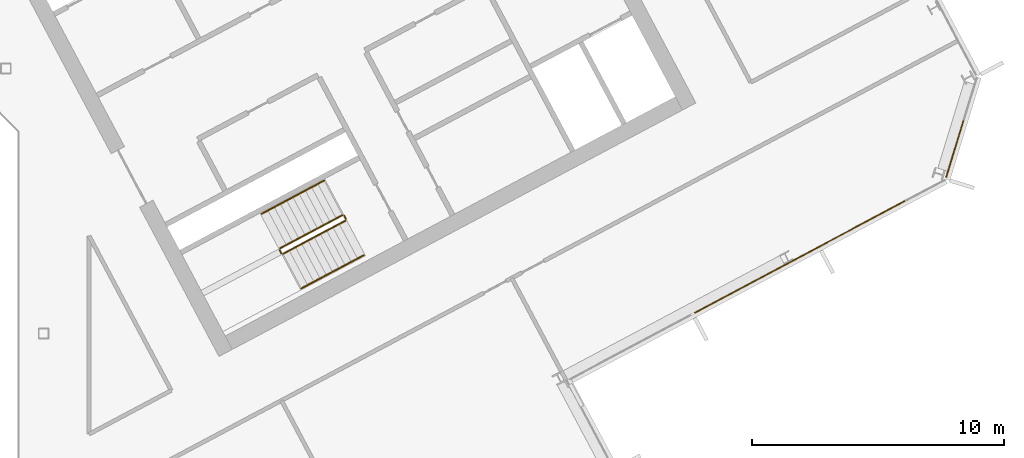
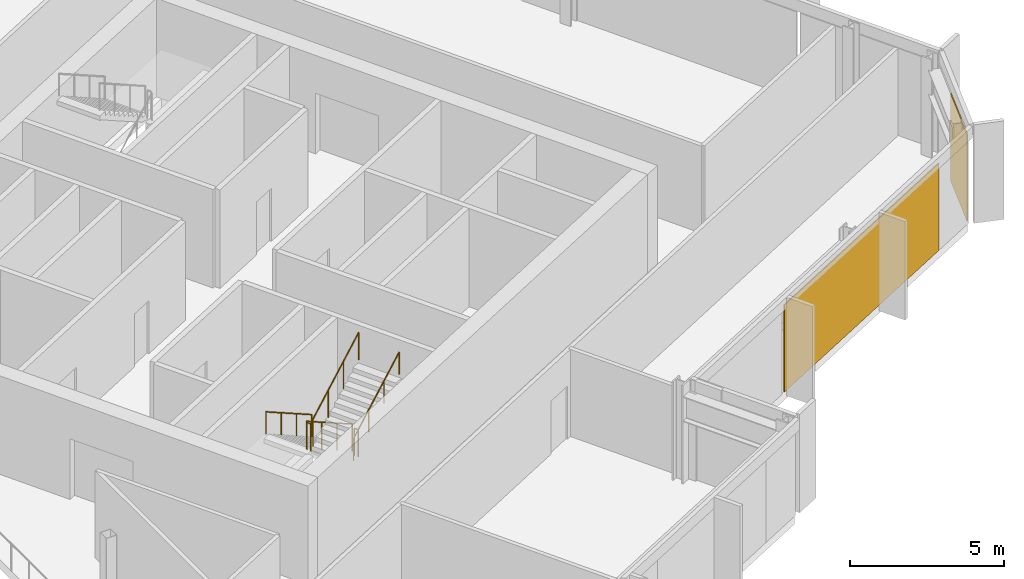
# One storey, part 24 of 26: 6 railings, 2 coverings, 2 elements without a shape of their own.
"""IFC4 building model written with IfcOpenShell, lengths in metres."""

from ifc_helpers import new_model, si_unit, direction, frame, origin, origin_2d, place, context, subcontext, project, spatial, polyline, rectangle, outline, extrude, material, layer, layer_set, type_object, element, aggregate, save


model = new_model("IFC4")

# Units and contexts
model_context = context("Model", 3, precision=1e-05, world=origin(), true_north=direction((0.0, 1.0)))
body_context = subcontext(model_context, "Body", "Model", "MODEL_VIEW")
ifc_project = project(units=[si_unit("LENGTHUNIT", "METRE"), si_unit("AREAUNIT", "SQUARE_METRE"), si_unit("VOLUMEUNIT", "CUBIC_METRE"), si_unit("PLANEANGLEUNIT", "RADIAN"), si_unit("MASSUNIT", "GRAM", prefix="KILO")], contexts=[model_context])

# Site, building, storey
site_placement = place(None, origin())
site = spatial("IfcSite", under=ifc_project, at=site_placement, CompositionType="ELEMENT")
building_placement = place(site_placement, origin())
building = spatial("IfcBuilding", under=site, at=building_placement, Name="Cormorant Relay Tower", CompositionType="ELEMENT")
storey_placement = place(building_placement, frame((0.0, 0.0, 248.10009765625)))
storey = spatial("IfcBuildingStorey", under=building, at=storey_placement, Name="L55", CompositionType="ELEMENT", Elevation=248.10009765625)

# Curtain wall, covering
ifc_material_1 = material(Name="Aluminium 6063-T6 anodised bronze", Category="aluminium")
ifc_layer_1 = layer(ifc_material_1, 0.199951171875)
ifc_layer_set_1 = layer_set([ifc_layer_1], Name="CW1 unitised bronze curtain wall with vertical fins")
curtain_wall_type = type_object("IfcCurtainWallType", Name="CW1 unitised bronze curtain wall with vertical fins", PredefinedType="NOTDEFINED", material=ifc_layer_set_1)
curtain_wall_1_placement = place(storey_placement, origin())
curtain_wall_1 = element("IfcCurtainWall", 1, at=curtain_wall_1_placement, inside=storey, type_object=curtain_wall_type, Name="CW1 curtain wall 4", PredefinedType="NOTDEFINED")
ifc_material_2 = material(Name="Pale bronze anodised aluminium insulated panel", Category="aluminium")
ifc_layer_2 = layer(ifc_material_2, 0.0400390625)
ifc_layer_set_2 = layer_set([ifc_layer_2], Name="CW1 pale bronze insulated panel 40")
covering_type = type_object("IfcCoveringType", Name="CW1 pale bronze insulated panel 40", PredefinedType="CLADDING", material=ifc_layer_set_2)
covering_1_placement = place(storey_placement, frame((41.9580078125, 3.033203125, 0.0), z_axis=(0.0, 0.0, 1.0), x_axis=(0.882947592859, 0.469471562786, 0.0)))
covering_1 = element("IfcCovering", 2, at=covering_1_placement, type_object=covering_type, Name="CW1 panel S01", PredefinedType="CLADDING", context=body_context, shape_type="SweptSolid", body=[
    extrude(rectangle(XDim=9.458251953125, YDim=0.0400390625, at=origin_2d()), origin(), (0.0, 0.0, 1.0), 3.449951171875),
])
aggregate(curtain_wall_1, [covering_1])

curtain_wall_2_placement = place(storey_placement, origin())
curtain_wall_2 = element("IfcCurtainWall", 3, at=curtain_wall_2_placement, inside=storey, type_object=curtain_wall_type, Name="CW1 curtain wall 5", PredefinedType="NOTDEFINED")
covering_2_placement = place(storey_placement, frame((48.100830078125, 7.314208984375, 0.0), z_axis=(0.0, 0.0, 1.0), x_axis=(0.292371704723, 0.956304755963, 0.0)))
covering_2 = element("IfcCovering", 4, at=covering_2_placement, type_object=covering_type, Name="CW1 panel S00", PredefinedType="CLADDING", context=body_context, shape_type="SweptSolid", body=[
    extrude(rectangle(XDim=2.36767578125, YDim=0.0400390625, at=origin_2d()), origin(), (0.0, 0.0, 1.0), 3.449951171875),
])
aggregate(curtain_wall_2, [covering_2])

# Railings
ifc_material_3 = material(Name="Steel ASTM A572 Grade 50 (Fy 345 MPa)", Category="steel")
railing_type_1 = type_object("IfcRailingType", Name="Stair guard 1100", PredefinedType="GUARDRAIL", material=ifc_material_3)
railing_1_placement = place(storey_placement, frame((23.83837890625, 4.6904296875, 0.17724609375)))
element("IfcRailing", 5, at=railing_1_placement, inside=storey, type_object=railing_type_1, Name="L55 B1 stair guard 1", PredefinedType="GUARDRAIL", context=body_context, shape_type="SweptSolid", body=[
    extrude(outline(polyline([(0.022216796875, 0.00927734375), (0.00927734375, 0.022216796875), (-0.00927734375, 0.022216796875), (-0.022216796875, 0.00927734375), (-0.022216796875, -0.00927734375), (-0.00927734375, -0.022216796875), (0.00927734375, -0.022216796875), (0.022216796875, -0.00927734375), (0.022216796875, 0.00927734375)])), frame((0.0, 0.0, 1.076171875), z_axis=(-0.746033882577, -0.396627473466, 0.534901947407), x_axis=(0.469429322983, -0.882970050864, 0.0)), (0.0, 0.0, 1.0), 3.31396484375),
    extrude(outline(polyline([(0.019287109375, 0.008056640625), (0.008056640625, 0.019287109375), (-0.008056640625, 0.019287109375), (-0.019287109375, 0.008056640625), (-0.019287109375, -0.008056640625), (-0.008056640625, -0.019287109375), (0.008056640625, -0.019287109375), (0.019287109375, -0.008056640625), (0.019287109375, 0.008056640625)])), origin(), (0.0, 0.0, 1.0), 1.052001953125),
    extrude(outline(polyline([(0.019287109375, 0.008056640625), (0.008056640625, 0.019287109375), (-0.008056640625, 0.019287109375), (-0.019287109375, 0.008056640625), (-0.019287109375, -0.008056640625), (-0.008056640625, -0.019287109375), (0.008056640625, -0.019287109375), (0.019287109375, -0.008056640625), (0.019287109375, 0.008056640625)])), frame((-0.82421875, -0.438232421875, 0.5908203125)), (0.0, 0.0, 1.0), 1.052001953125),
    extrude(outline(polyline([(0.019287109375, 0.008056640625), (0.008056640625, 0.019287109375), (-0.008056640625, 0.019287109375), (-0.019287109375, 0.008056640625), (-0.019287109375, -0.008056640625), (-0.008056640625, -0.019287109375), (0.008056640625, -0.019287109375), (0.019287109375, -0.008056640625), (0.019287109375, 0.008056640625)])), frame((-1.648193359375, -0.876220703125, 1.181884765625)), (0.0, 0.0, 1.0), 1.052001953125),
    extrude(outline(polyline([(0.019287109375, 0.008056640625), (0.008056640625, 0.019287109375), (-0.008056640625, 0.019287109375), (-0.019287109375, 0.008056640625), (-0.019287109375, -0.008056640625), (-0.008056640625, -0.019287109375), (0.008056640625, -0.019287109375), (0.019287109375, -0.008056640625), (0.019287109375, 0.008056640625)])), frame((-2.472412109375, -1.314453125, 1.772705078125)), (0.0, 0.0, 1.0), 1.052001953125),
])
railing_2_placement = place(storey_placement, frame((21.345458984375, 3.308349609375, 1.949951171875)))
element("IfcRailing", 6, at=railing_2_placement, inside=storey, type_object=railing_type_1, Name="L55 B1 stair guard 2", PredefinedType="GUARDRAIL", context=body_context, shape_type="SweptSolid", body=[
    extrude(outline(polyline([(0.022216796875, 0.00927734375), (0.00927734375, 0.022216796875), (-0.00927734375, 0.022216796875), (-0.022216796875, 0.00927734375), (-0.022216796875, -0.00927734375), (-0.00927734375, -0.022216796875), (0.00927734375, -0.022216796875), (0.022216796875, -0.00927734375), (0.022216796875, 0.00927734375)])), frame((0.0, 0.0, 1.076171875), z_axis=(0.46856034887, -0.8834314911, 0.0), x_axis=(0.8834314911, 0.46856034887, 0.0)), (0.0, 0.0, 1.0), 0.150146484375),
    extrude(outline(polyline([(0.019287109375, 0.008056640625), (0.008056640625, 0.019287109375), (-0.008056640625, 0.019287109375), (-0.019287109375, 0.008056640625), (-0.019287109375, -0.008056640625), (-0.008056640625, -0.019287109375), (0.008056640625, -0.019287109375), (0.019287109375, -0.008056640625), (0.019287109375, 0.008056640625)])), origin(), (0.0, 0.0, 1.0), 1.052001953125),
    extrude(outline(polyline([(0.019287109375, 0.008056640625), (0.008056640625, 0.019287109375), (-0.008056640625, 0.019287109375), (-0.019287109375, 0.008056640625), (-0.019287109375, -0.008056640625), (-0.008056640625, -0.019287109375), (0.008056640625, -0.019287109375), (0.019287109375, -0.008056640625), (0.019287109375, 0.008056640625)])), frame((0.0703125, -0.132568359375, 0.0)), (0.0, 0.0, 1.0), 1.052001953125),
])
railing_3_placement = place(storey_placement, frame((21.4833984375, 3.1552734375, 2.127197265625)))
element("IfcRailing", 7, at=railing_3_placement, inside=storey, type_object=railing_type_1, Name="L55 B1 stair guard 3", PredefinedType="GUARDRAIL", context=body_context, shape_type="SweptSolid", body=[
    extrude(outline(polyline([(0.022216796875, 0.00927734375), (0.00927734375, 0.022216796875), (-0.00927734375, 0.022216796875), (-0.022216796875, 0.00927734375), (-0.022216796875, -0.00927734375), (-0.00927734375, -0.022216796875), (0.00927734375, -0.022216796875), (0.022216796875, -0.00927734375), (0.022216796875, 0.00927734375)])), frame((0.0, 0.0, 1.076171875), z_axis=(0.746001213114, 0.396649272309, 0.534931345884), x_axis=(-0.469465464807, 0.882950835185, 0.0)), (0.0, 0.0, 1.0), 3.31396484375),
    extrude(outline(polyline([(0.019287109375, 0.008056640625), (0.008056640625, 0.019287109375), (-0.008056640625, 0.019287109375), (-0.019287109375, 0.008056640625), (-0.019287109375, -0.008056640625), (-0.008056640625, -0.019287109375), (0.008056640625, -0.019287109375), (0.019287109375, -0.008056640625), (0.019287109375, 0.008056640625)])), origin(), (0.0, 0.0, 1.0), 1.052001953125),
    extrude(outline(polyline([(0.019287109375, 0.008056640625), (0.008056640625, 0.019287109375), (-0.008056640625, 0.019287109375), (-0.019287109375, 0.008056640625), (-0.019287109375, -0.008056640625), (-0.008056640625, -0.019287109375), (0.008056640625, -0.019287109375), (0.019287109375, -0.008056640625), (0.019287109375, 0.008056640625)])), frame((0.823974609375, 0.438232421875, 0.5908203125)), (0.0, 0.0, 1.0), 1.052001953125),
    extrude(outline(polyline([(0.019287109375, 0.008056640625), (0.008056640625, 0.019287109375), (-0.008056640625, 0.019287109375), (-0.019287109375, 0.008056640625), (-0.019287109375, -0.008056640625), (-0.008056640625, -0.019287109375), (0.008056640625, -0.019287109375), (0.019287109375, -0.008056640625), (0.019287109375, 0.008056640625)])), frame((1.648193359375, 0.876220703125, 1.181884765625)), (0.0, 0.0, 1.0), 1.052001953125),
    extrude(outline(polyline([(0.019287109375, 0.008056640625), (0.008056640625, 0.019287109375), (-0.008056640625, 0.019287109375), (-0.019287109375, 0.008056640625), (-0.019287109375, -0.008056640625), (-0.008056640625, -0.019287109375), (0.008056640625, -0.019287109375), (0.019287109375, -0.008056640625), (0.019287109375, 0.008056640625)])), frame((2.47216796875, 1.314453125, 1.772705078125)), (0.0, 0.0, 1.0), 1.052001953125),
])
railing_4_placement = place(storey_placement, frame((23.906005859375, 4.669677734375, 0.0)))
element("IfcRailing", 8, at=railing_4_placement, inside=storey, type_object=railing_type_1, Name="L55 B1 stair guard 4", PredefinedType="GUARDRAIL", context=body_context, shape_type="SweptSolid", body=[
    extrude(outline(polyline([(0.022216796875, 0.00927734375), (0.00927734375, 0.022216796875), (-0.00927734375, 0.022216796875), (-0.022216796875, 0.00927734375), (-0.022216796875, -0.00927734375), (-0.00927734375, -0.022216796875), (0.00927734375, -0.022216796875), (0.022216796875, -0.00927734375), (0.022216796875, 0.00927734375)])), frame((0.0, 0.0, 1.076171875), z_axis=(0.469234640946, -0.883073525669, 0.0), x_axis=(0.883073525669, 0.469234640946, 0.0)), (0.0, 0.0, 1.0), 0.14990234375),
    extrude(outline(polyline([(0.019287109375, 0.008056640625), (0.008056640625, 0.019287109375), (-0.008056640625, 0.019287109375), (-0.019287109375, 0.008056640625), (-0.019287109375, -0.008056640625), (-0.008056640625, -0.019287109375), (0.008056640625, -0.019287109375), (0.019287109375, -0.008056640625), (0.019287109375, 0.008056640625)])), origin(), (0.0, 0.0, 1.0), 1.052001953125),
    extrude(outline(polyline([(0.019287109375, 0.008056640625), (0.008056640625, 0.019287109375), (-0.008056640625, 0.019287109375), (-0.019287109375, 0.008056640625), (-0.019287109375, -0.008056640625), (-0.008056640625, -0.019287109375), (0.008056640625, -0.019287109375), (0.019287109375, -0.008056640625), (0.019287109375, 0.008056640625)])), frame((0.0703125, -0.13232421875, 0.0)), (0.0, 0.0, 1.0), 1.052001953125),
])
ifc_material_4 = material(Name="Steel ASTM A572 Grade 50 (Fy 345 MPa)", Category="steel")
railing_type_2 = type_object("IfcRailingType", Name="Stair handrail 900", PredefinedType="HANDRAIL", material=ifc_material_4)
railing_5_placement = place(storey_placement, frame((23.110595703125, 6.05908203125, 0.17724609375)))
element("IfcRailing", 9, at=railing_5_placement, inside=storey, type_object=railing_type_2, Name="L55 B1 stair handrail 1", PredefinedType="HANDRAIL", context=body_context, shape_type="SweptSolid", body=[
    extrude(outline(polyline([(0.022216796875, 0.00927734375), (0.00927734375, 0.022216796875), (-0.00927734375, 0.022216796875), (-0.022216796875, 0.00927734375), (-0.022216796875, -0.00927734375), (-0.00927734375, -0.022216796875), (0.00927734375, -0.022216796875), (0.022216796875, -0.00927734375), (0.022216796875, 0.00927734375)])), frame((0.0, 0.0, 0.8759765625), z_axis=(-0.745979412481, -0.396711350603, 0.534915713414), x_axis=(0.469533439143, -0.882914689835, 0.0)), (0.0, 0.0, 1.0), 3.31396484375),
    extrude(outline(polyline([(0.019287109375, 0.008056640625), (0.008056640625, 0.019287109375), (-0.008056640625, 0.019287109375), (-0.019287109375, 0.008056640625), (-0.019287109375, -0.008056640625), (-0.008056640625, -0.019287109375), (0.008056640625, -0.019287109375), (0.019287109375, -0.008056640625), (0.019287109375, 0.008056640625)])), origin(), (0.0, 0.0, 1.0), 0.851806640625),
    extrude(outline(polyline([(0.019287109375, 0.008056640625), (0.008056640625, 0.019287109375), (-0.008056640625, 0.019287109375), (-0.019287109375, 0.008056640625), (-0.019287109375, -0.008056640625), (-0.008056640625, -0.019287109375), (0.008056640625, -0.019287109375), (0.019287109375, -0.008056640625), (0.019287109375, 0.008056640625)])), frame((-0.823974609375, -0.438232421875, 0.5908203125)), (0.0, 0.0, 1.0), 0.851806640625),
    extrude(outline(polyline([(0.019287109375, 0.008056640625), (0.008056640625, 0.019287109375), (-0.008056640625, 0.019287109375), (-0.019287109375, 0.008056640625), (-0.019287109375, -0.008056640625), (-0.008056640625, -0.019287109375), (0.008056640625, -0.019287109375), (0.019287109375, -0.008056640625), (0.019287109375, 0.008056640625)])), frame((-1.648193359375, -0.87646484375, 1.181884765625)), (0.0, 0.0, 1.0), 0.851806640625),
    extrude(outline(polyline([(0.019287109375, 0.008056640625), (0.008056640625, 0.019287109375), (-0.008056640625, 0.019287109375), (-0.019287109375, 0.008056640625), (-0.019287109375, -0.008056640625), (-0.008056640625, -0.019287109375), (0.008056640625, -0.019287109375), (0.019287109375, -0.008056640625), (0.019287109375, 0.008056640625)])), frame((-2.47216796875, -1.314697265625, 1.772705078125)), (0.0, 0.0, 1.0), 0.851806640625),
])
railing_6_placement = place(storey_placement, frame((22.211181640625, 1.78662109375, 2.127197265625)))
element("IfcRailing", 10, at=railing_6_placement, inside=storey, type_object=railing_type_2, Name="L55 B1 stair handrail 2", PredefinedType="HANDRAIL", context=body_context, shape_type="SweptSolid", body=[
    extrude(outline(polyline([(0.022216796875, 0.00927734375), (0.00927734375, 0.022216796875), (-0.00927734375, 0.022216796875), (-0.022216796875, 0.00927734375), (-0.022216796875, -0.00927734375), (-0.00927734375, -0.022216796875), (0.00927734375, -0.022216796875), (0.022216796875, -0.00927734375), (0.022216796875, 0.00927734375)])), frame((0.0, 0.0, 0.8759765625), z_axis=(0.746001213114, 0.396649272309, 0.534931345884), x_axis=(-0.469465464807, 0.882950835185, 0.0)), (0.0, 0.0, 1.0), 3.31396484375),
    extrude(outline(polyline([(0.019287109375, 0.008056640625), (0.008056640625, 0.019287109375), (-0.008056640625, 0.019287109375), (-0.019287109375, 0.008056640625), (-0.019287109375, -0.008056640625), (-0.008056640625, -0.019287109375), (0.008056640625, -0.019287109375), (0.019287109375, -0.008056640625), (0.019287109375, 0.008056640625)])), origin(), (0.0, 0.0, 1.0), 0.851806640625),
    extrude(outline(polyline([(0.019287109375, 0.008056640625), (0.008056640625, 0.019287109375), (-0.008056640625, 0.019287109375), (-0.019287109375, 0.008056640625), (-0.019287109375, -0.008056640625), (-0.008056640625, -0.019287109375), (0.008056640625, -0.019287109375), (0.019287109375, -0.008056640625), (0.019287109375, 0.008056640625)])), frame((0.823974609375, 0.438232421875, 0.5908203125)), (0.0, 0.0, 1.0), 0.851806640625),
    extrude(outline(polyline([(0.019287109375, 0.008056640625), (0.008056640625, 0.019287109375), (-0.008056640625, 0.019287109375), (-0.019287109375, 0.008056640625), (-0.019287109375, -0.008056640625), (-0.008056640625, -0.019287109375), (0.008056640625, -0.019287109375), (0.019287109375, -0.008056640625), (0.019287109375, 0.008056640625)])), frame((1.648193359375, 0.876220703125, 1.181884765625)), (0.0, 0.0, 1.0), 0.851806640625),
    extrude(outline(polyline([(0.019287109375, 0.008056640625), (0.008056640625, 0.019287109375), (-0.008056640625, 0.019287109375), (-0.019287109375, 0.008056640625), (-0.019287109375, -0.008056640625), (-0.008056640625, -0.019287109375), (0.008056640625, -0.019287109375), (0.019287109375, -0.008056640625), (0.019287109375, 0.008056640625)])), frame((2.47216796875, 1.314453125, 1.772705078125)), (0.0, 0.0, 1.0), 0.851806640625),
])

save(model, "model.ifc")
